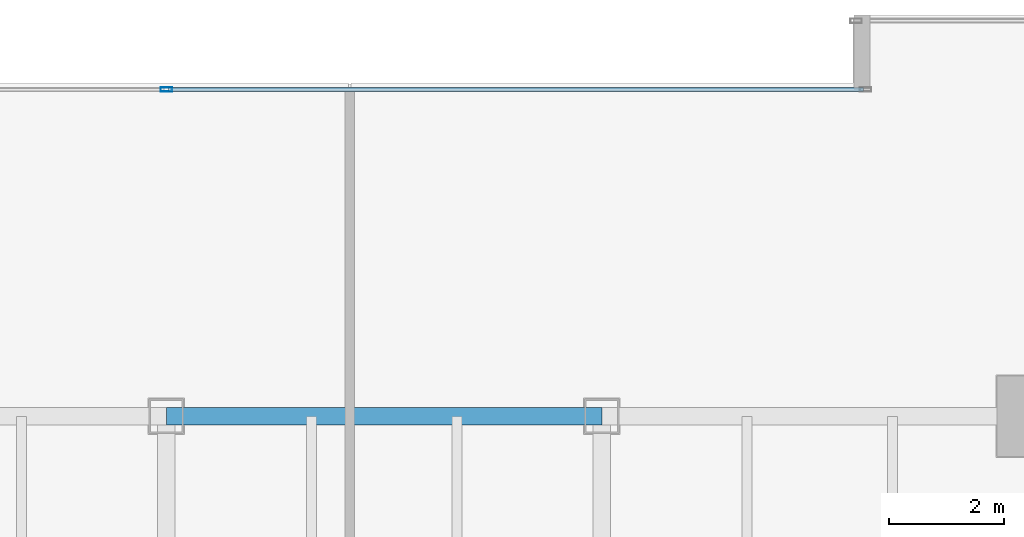
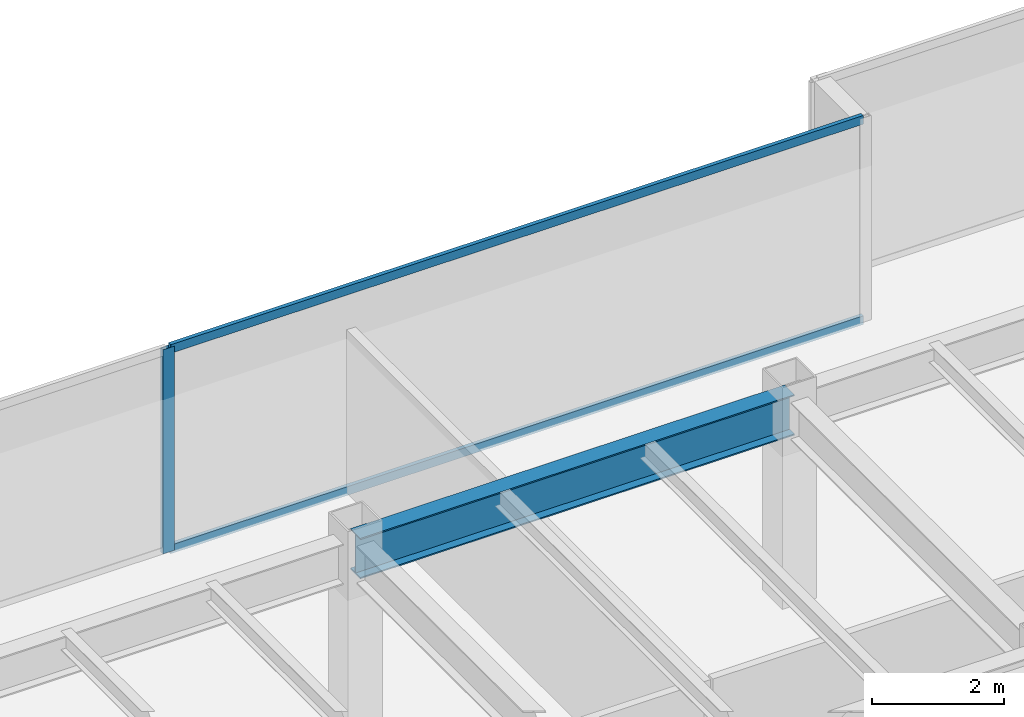
# One storey, part 18 of 36: 3 members, 1 beam, 1 element without a shape of its own.
"""IFC4 building model written with IfcOpenShell, lengths in metres."""

from ifc_helpers import new_model, si_unit, direction, frame, origin, origin_2d, place, context, subcontext, project, spatial, hollow_rectangle, i_section, extrude, source, transform, mapped, material, layer, layer_set, material_profile, profile_set, type_object, type_shapes, element, aggregate, save


model = new_model("IFC4")

# Units and contexts
model_context = context("Model", 3, precision=1e-05, world=origin(), true_north=direction((0.0, 1.0)))
body_context = subcontext(model_context, "Body", "Model", "MODEL_VIEW")
ifc_project = project(units=[si_unit("LENGTHUNIT", "METRE"), si_unit("AREAUNIT", "SQUARE_METRE"), si_unit("VOLUMEUNIT", "CUBIC_METRE"), si_unit("PLANEANGLEUNIT", "RADIAN"), si_unit("MASSUNIT", "GRAM", prefix="KILO")], contexts=[model_context])

# Site, building, storey
site_placement = place(None, origin())
site = spatial("IfcSite", under=ifc_project, at=site_placement, CompositionType="ELEMENT")
building_placement = place(site_placement, origin())
building = spatial("IfcBuilding", under=site, at=building_placement, Name="Haelvirn Gate Laboratories", CompositionType="ELEMENT")
storey_placement = place(building_placement, frame((0.0, 0.0, 53.89990234375)))
storey = spatial("IfcBuildingStorey", under=building, at=storey_placement, Name="L13", CompositionType="ELEMENT", Elevation=53.89990234375)

# Beam
ifc_material_1 = material(Name="Steel SM355", Category="steel")
ifc_material_profile_1 = material_profile(ifc_material_1, i_section(OverallWidth=0.300048828125, OverallDepth=0.75, WebThickness=0.013916015625, FlangeThickness=0.02392578125, at=origin_2d()), Name="H-750x300x14x24")
ifc_profile_set_1 = profile_set([ifc_material_profile_1], Name="Steel SM355")
beam_type = type_object("IfcBeamType", Name="BM-G-750", PredefinedType="BEAM", material=ifc_profile_set_1)
shared_shape_1 = source(origin(), body_context, "Body", "SweptSolid", [
    extrude(i_section(OverallWidth=0.300048828125, OverallDepth=0.75, WebThickness=0.013916015625, FlangeThickness=0.02392578125, at=origin_2d()), origin(), (0.0, 0.0, 1.0), 7.60009765625),
])
type_shapes(beam_type, [shared_shape_1])
beam_placement = place(storey_placement, frame((37.39990234375, 41.60009765625, 3.405029296875), z_axis=(1.0, 0.0, 0.0), x_axis=(0.0, 1.0, 0.0)))
element("IfcBeam", 1, at=beam_placement, inside=storey, type_object=beam_type, Name="L13 Primary Girder Y41.6 (37.4-45.0)", PredefinedType="BEAM", context=body_context, shape_type="MappedRepresentation", body=[
    mapped(shared_shape_1, transform((0.0, 0.0, 0.0), scale=1.0)),
])

# Curtain wall, members
ifc_material_2 = material(Name="Anodised bronze unitised aluminium & triple low-E glass", Category="aluminium")
ifc_layer = layer(ifc_material_2, 0.18408203125, Name="CW-SYS-2")
ifc_layer_set = layer_set([ifc_layer], Name="Anodised bronze unitised aluminium & triple low-E glass")
curtain_wall_type = type_object("IfcCurtainWallType", Name="CW-SYS-2", PredefinedType="NOTDEFINED", material=ifc_layer_set)
curtain_wall_placement = place(storey_placement, origin())
curtain_wall = element("IfcCurtainWall", 2, at=curtain_wall_placement, inside=storey, type_object=curtain_wall_type, Name="L13 Unitised Curtain Wall CW-L13-P0-E12-1", PredefinedType="NOTDEFINED")
ifc_material_3 = material(Name="Extruded aluminium 6063-T6 (anodised bronze)", Category="aluminium")
ifc_material_profile_2 = material_profile(ifc_material_3, hollow_rectangle(XDim=0.074951171875, YDim=0.199951171875, WallThickness=0.0048828125, at=origin_2d()), Name="CWM-200x75x5")
ifc_profile_set_2 = profile_set([ifc_material_profile_2], Name="Extruded aluminium 6063-T6 (anodised bronze)")
member_type_1 = type_object("IfcMemberType", Name="CWM-T200", PredefinedType="MULLION", material=ifc_profile_set_2)
shared_shape_2 = source(origin(), body_context, "Body", "SweptSolid", [
    extrude(hollow_rectangle(XDim=0.074951171875, YDim=0.199951171875, WallThickness=0.0048828125, at=origin_2d()), origin(), (0.0, 0.0, 1.0), 3.780029296875),
])
type_shapes(member_type_1, [shared_shape_2])
member_1_placement = place(storey_placement, frame((37.39990234375, 47.300048828125, 0.0), z_axis=(0.0, 0.0, 1.0), x_axis=(0.0, 1.0, 0.0)))
member_1 = element("IfcMember", 3, at=member_1_placement, type_object=member_type_1, Name="CW2 mullion 2", PredefinedType="MULLION", context=body_context, shape_type="MappedRepresentation", body=[
    mapped(shared_shape_2, transform((0.0, 0.0, 0.0), scale=1.0)),
])
ifc_material_profile_3 = material_profile(ifc_material_3, hollow_rectangle(XDim=0.070068359375, YDim=0.159912109375, WallThickness=0.0048828125, at=origin_2d()), Name="CWT-160x70x5")
ifc_profile_set_3 = profile_set([ifc_material_profile_3], Name="Extruded aluminium 6063-T6 (anodised bronze)")
member_type_2 = type_object("IfcMemberType", Name="CWT-T160", PredefinedType="USERDEFINED", material=ifc_profile_set_3)
shared_shape_3 = source(origin(), body_context, "Body", "SweptSolid", [
    extrude(hollow_rectangle(XDim=0.070068359375, YDim=0.159912109375, WallThickness=0.0048828125, at=origin_2d()), origin(), (0.0, 0.0, 1.0), 12.12744140625),
])
type_shapes(member_type_2, [shared_shape_3])
member_2_placement = place(storey_placement, frame((37.4375, 47.300048828125, 0.03515625), z_axis=(1.0, 0.0, 0.0), x_axis=(0.0, 1.0, 0.0)))
member_2 = element("IfcMember", 4, at=member_2_placement, type_object=member_type_2, Name="CW2 transom 2.1", ObjectType="TRANSOM", PredefinedType="USERDEFINED", context=body_context, shape_type="MappedRepresentation", body=[
    mapped(shared_shape_3, transform((0.0, 0.0, 0.0), scale=1.0)),
])
member_3_placement = place(storey_placement, frame((37.4375, 47.300048828125, 3.7451171875), z_axis=(1.0, 0.0, 0.0), x_axis=(0.0, 1.0, 0.0)))
member_3 = element("IfcMember", 5, at=member_3_placement, type_object=member_type_2, Name="CW2 transom 2.2", ObjectType="TRANSOM", PredefinedType="USERDEFINED", context=body_context, shape_type="MappedRepresentation", body=[
    mapped(shared_shape_3, transform((0.0, 0.0, 0.0), scale=1.0)),
])
aggregate(curtain_wall, [member_1, member_2, member_3])

save(model, "model.ifc")
